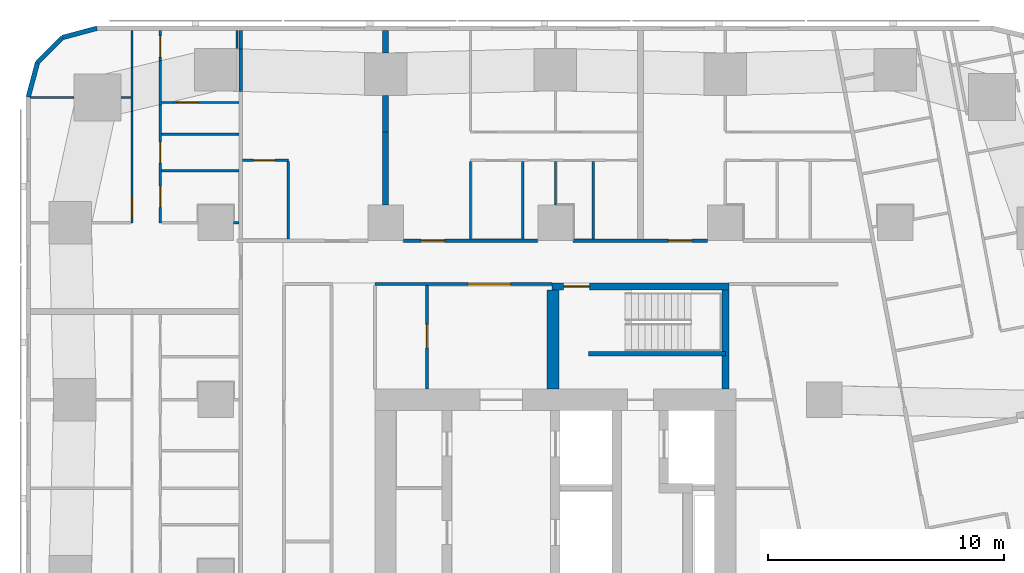
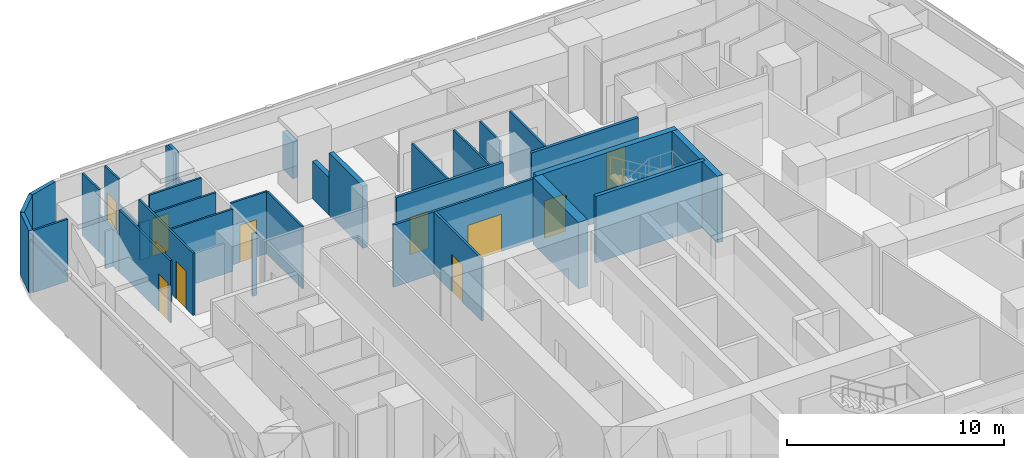
# One storey, part 9 of 15: 36 walls, 11 doors, 11 openings.
"""IFC4 building model written with IfcOpenShell, lengths in metres."""

from ifc_helpers import new_model, si_unit, direction, frame, frame_2d, origin, place, context, subcontext, project, spatial, rectangle, extrude, material, layer, layer_set, type_object, element, fill, save


model = new_model("IFC4")

# Units and contexts
model_context = context("Model", 3, precision=1e-05, world=origin(), true_north=direction((0.0, 1.0)))
body_context = subcontext(model_context, "Body", "Model", "MODEL_VIEW")
ifc_project = project(units=[si_unit("LENGTHUNIT", "METRE"), si_unit("AREAUNIT", "SQUARE_METRE"), si_unit("VOLUMEUNIT", "CUBIC_METRE"), si_unit("PLANEANGLEUNIT", "RADIAN"), si_unit("MASSUNIT", "GRAM", prefix="KILO")], contexts=[model_context])

# Site, building, storey
site_placement = place(None, origin())
site = spatial("IfcSite", under=ifc_project, at=site_placement, CompositionType="ELEMENT")
building_placement = place(site_placement, origin())
building = spatial("IfcBuilding", under=site, at=building_placement, Name="Sheger Commons Tower", CompositionType="ELEMENT")
storey_placement = place(building_placement, frame((0.0, 0.0, 150.800048828125)))
storey = spatial("IfcBuildingStorey", under=building, at=storey_placement, Name="L38", CompositionType="ELEMENT", Elevation=150.800048828125)

# Walls
ifc_material_1 = material(Name="Hollow concrete block masonry, skimmed both sides", Category="masonry")
ifc_layer_1 = layer(ifc_material_1, 0.14990234375)
ifc_layer_set_1 = layer_set([ifc_layer_1], Name="CORRIDOR WALL 150")
wall_type_1 = type_object("IfcWallType", Name="CORRIDOR WALL 150", PredefinedType="SOLIDWALL", material=ifc_layer_set_1)
wall_1_placement = place(storey_placement, frame((8.25, 43.068115234375, 0.0), z_axis=(0.0, 0.0, 1.0), x_axis=(0.0, 1.0, 0.0)))
element("IfcWall", 1, at=wall_1_placement, inside=storey, type_object=wall_type_1, Name="Corridor wall L38", PredefinedType="SOLIDWALL", context=body_context, shape_type="SweptSolid", body=[
    extrude(rectangle(XDim=1.804931640625, YDim=0.14990234375, at=frame_2d((0.90234375, 0.0))), origin(), (0.0, 0.0, 1.0), 2.099853515625),
])
wall_2_placement = place(storey_placement, frame((8.25, 44.873046875, 0.0), z_axis=(0.0, 0.0, 1.0), x_axis=(0.0, 1.0, 0.0)))
element("IfcWall", 2, at=wall_2_placement, inside=storey, type_object=wall_type_1, Name="Corridor wall L38", PredefinedType="SOLIDWALL", context=body_context, shape_type="SweptSolid", body=[
    extrude(rectangle(XDim=0.77685546875, YDim=0.14990234375, at=frame_2d((0.388427734375, 0.0))), origin(), (0.0, 0.0, 1.0), 3.5),
])

# Wall, opening, door
wall_3_placement = place(storey_placement, frame((15.15087890625, 36.75, 0.0), z_axis=(0.0, 0.0, 1.0), x_axis=(1.0, 0.0, 0.0)))
wall_3 = element("IfcWall", 3, at=wall_3_placement, inside=storey, type_object=wall_type_1, Name="Corridor wall L38", PredefinedType="SOLIDWALL", context=body_context, shape_type="SweptSolid", body=[
    extrude(rectangle(XDim=5.6982421875, YDim=0.14990234375, at=frame_2d((2.84912109375, 0.0))), origin(), (0.0, 0.0, 1.0), 3.5),
])
opening_1_placement = place(wall_3_placement, frame((0.7490234375, 0.0, 0.0)))
opening_1 = element("IfcOpeningElement", 4, at=opening_1_placement, cuts=wall_3, Name="Opening D1", PredefinedType="OPENING", context=body_context, shape_type="SweptSolid", body=[
    extrude(rectangle(XDim=1.0, YDim=2.10009765625, at=frame_2d((0.5, 1.050048828125))), frame((0.0, 0.0849609375, 0.0), z_axis=(0.0, -1.0, 0.0), x_axis=(1.0, 0.0, 0.0)), (0.0, 0.0, 1.0), 0.169921875),
])
ifc_material_2 = material(Name="Steel door set, fire rated", Category="steel")
door_type_1 = type_object("IfcDoorType", Name="FLAT ENTRANCE DOOR 1000x2100", OperationType="NOTDEFINED", PredefinedType="DOOR", material=ifc_material_2)
door_1_placement = place(opening_1_placement, origin())
door_1 = element("IfcDoor", 5, at=door_1_placement, inside=storey, type_object=door_type_1, Name="Flat entrance door", OperationType="SINGLE_SWING_LEFT", OverallHeight=2.10009765625, OverallWidth=1.0, PredefinedType="DOOR", context=body_context, shape_type="SweptSolid", body=[
    extrude(rectangle(XDim=1.0, YDim=2.10009765625, at=frame_2d((0.5, 1.050048828125))), frame((0.0, 0.02490234375, 0.0), z_axis=(0.0, -1.0, 0.0), x_axis=(1.0, 0.0, 0.0)), (0.0, 0.0, 1.0), 0.050048828125),
])
fill(opening_1, door_1)

wall_4_placement = place(storey_placement, frame((22.35107421875, 36.75, 0.0), z_axis=(0.0, 0.0, 1.0), x_axis=(1.0, 0.0, 0.0)))
wall_4 = element("IfcWall", 6, at=wall_4_placement, inside=storey, type_object=wall_type_1, Name="Corridor wall L38", PredefinedType="SOLIDWALL", context=body_context, shape_type="SweptSolid", body=[
    extrude(rectangle(XDim=5.697998046875, YDim=0.14990234375, at=frame_2d((2.84912109375, 0.0))), origin(), (0.0, 0.0, 1.0), 3.5),
])
opening_2_placement = place(wall_4_placement, frame((4.031982421875, 0.0, 0.0)))
opening_2 = element("IfcOpeningElement", 7, at=opening_2_placement, cuts=wall_4, Name="Opening D1", PredefinedType="OPENING", context=body_context, shape_type="SweptSolid", body=[
    extrude(rectangle(XDim=1.0, YDim=2.10009765625, at=frame_2d((0.5, 1.050048828125))), frame((0.0, 0.0849609375, 0.0), z_axis=(0.0, -1.0, 0.0), x_axis=(1.0, 0.0, 0.0)), (0.0, 0.0, 1.0), 0.169921875),
])
door_2_placement = place(opening_2_placement, origin())
door_2 = element("IfcDoor", 8, at=door_2_placement, inside=storey, type_object=door_type_1, Name="Flat entrance door", OperationType="SINGLE_SWING_RIGHT", OverallHeight=2.10009765625, OverallWidth=1.0, PredefinedType="DOOR", context=body_context, shape_type="SweptSolid", body=[
    extrude(rectangle(XDim=1.0, YDim=2.10009765625, at=frame_2d((0.5, 1.050048828125))), frame((0.0, 0.02490234375, 0.0), z_axis=(0.0, -1.0, 0.0), x_axis=(1.0, 0.0, 0.0)), (0.0, 0.0, 1.0), 0.050048828125),
])
fill(opening_2, door_2)

# Walls
ifc_material_3 = material(Name="Dense concrete block masonry, plastered both sides (separating wall between flats)", Category="masonry")
ifc_layer_2 = layer(ifc_material_3, 0.25)
ifc_layer_set_2 = layer_set([ifc_layer_2], Name="DEMISING WALL 250")
wall_type_2 = type_object("IfcWallType", Name="DEMISING WALL 250", PredefinedType="SOLIDWALL", material=ifc_layer_set_2)
wall_5_placement = place(storey_placement, frame((14.39990234375, 41.35009765625, 0.0), z_axis=(0.0, 0.0, 1.0), x_axis=(0.0, 1.0, 0.0)))
element("IfcWall", 9, at=wall_5_placement, inside=storey, type_object=wall_type_2, Name="Demising wall L38", PredefinedType="SOLIDWALL", context=body_context, shape_type="SweptSolid", body=[
    extrude(rectangle(XDim=1.548828125, YDim=0.25, at=frame_2d((0.7744140625, 0.0))), origin(), (0.0, 0.0, 1.0), 2.099853515625),
])
wall_6_placement = place(storey_placement, frame((14.39990234375, 44.700927734375, 0.0), z_axis=(0.0, 0.0, 1.0), x_axis=(0.0, 1.0, 0.0)))
element("IfcWall", 10, at=wall_6_placement, inside=storey, type_object=wall_type_2, Name="Demising wall L38", PredefinedType="SOLIDWALL", context=body_context, shape_type="SweptSolid", body=[
    extrude(rectangle(XDim=0.948974609375, YDim=0.25, at=frame_2d((0.474609375, 0.0))), origin(), (0.0, 0.0, 1.0), 2.099853515625),
])
wall_7_placement = place(storey_placement, frame((14.39990234375, 38.2509765625, 0.0), z_axis=(0.0, 0.0, 1.0), x_axis=(0.0, 1.0, 0.0)))
element("IfcWall", 11, at=wall_7_placement, inside=storey, type_object=wall_type_2, Name="Demising wall L38", PredefinedType="SOLIDWALL", context=body_context, shape_type="SweptSolid", body=[
    extrude(rectangle(XDim=3.09912109375, YDim=0.25, at=frame_2d((1.549560546875, 0.0))), origin(), (0.0, 0.0, 1.0), 3.5),
])
ifc_material_4 = material(Name="Rendered concrete block masonry, dark grey", Category="masonry")
ifc_layer_3 = layer(ifc_material_4, 0.199951171875)
ifc_layer_set_3 = layer_set([ifc_layer_3], Name="FACADE WALL 200")
wall_type_3 = type_object("IfcWallType", Name="FACADE WALL 200", PredefinedType="SOLIDWALL", material=ifc_layer_set_3)
wall_8_placement = place(storey_placement, frame((2.1630859375, 45.75, 0.0), z_axis=(0.0, 0.0, 1.0), x_axis=(-0.965832000415, -0.259168954497, 0.0)))
element("IfcWall", 12, at=wall_8_placement, inside=storey, type_object=wall_type_3, Name="Facade wall L38", PredefinedType="SOLIDWALL", context=body_context, shape_type="SweptSolid", body=[
    extrude(rectangle(XDim=1.512939453125, YDim=0.199951171875, at=frame_2d((0.75634765625, 0.0))), origin(), (0.0, 0.0, 1.0), 3.5),
])
wall_9_placement = place(storey_placement, frame((0.701904296875, 45.35791015625, 0.0), z_axis=(0.0, 0.0, 1.0), x_axis=(-0.707106781187, -0.707106781187, 0.0)))
element("IfcWall", 13, at=wall_9_placement, inside=storey, type_object=wall_type_3, Name="Facade wall L38", PredefinedType="SOLIDWALL", context=body_context, shape_type="SweptSolid", body=[
    extrude(rectangle(XDim=1.498779296875, YDim=0.199951171875, at=frame_2d((0.74951171875, 0.0))), origin(), (0.0, 0.0, 1.0), 3.5),
])
wall_10_placement = place(storey_placement, frame((-0.35791015625, 44.298095703125, 0.0), z_axis=(0.0, 0.0, 1.0), x_axis=(-0.259168954497, -0.965832000415, 0.0)))
element("IfcWall", 14, at=wall_10_placement, inside=storey, type_object=wall_type_3, Name="Facade wall L38", PredefinedType="SOLIDWALL", context=body_context, shape_type="SweptSolid", body=[
    extrude(rectangle(XDim=1.512939453125, YDim=0.199951171875, at=frame_2d((0.75634765625, 0.0))), origin(), (0.0, 0.0, 1.0), 3.5),
])
ifc_material_5 = material(Name="Gypsum board on steel studs", Category="steel")
ifc_layer_4 = layer(ifc_material_5, 0.10009765625)
ifc_layer_set_4 = layer_set([ifc_layer_4], Name="PARTITION 100")
wall_type_4 = type_object("IfcWallType", Name="PARTITION 100", PredefinedType="PARTITIONING", material=ifc_layer_set_4)
wall_11_placement = place(storey_placement, frame((8.10009765625, 45.64990234375, 0.0), z_axis=(0.0, 0.0, 1.0), x_axis=(0.0, -1.0, 0.0)))
element("IfcWall", 15, at=wall_11_placement, inside=storey, type_object=wall_type_4, Name="Partition L38", PredefinedType="PARTITIONING", context=body_context, shape_type="SweptSolid", body=[
    extrude(rectangle(XDim=0.7490234375, YDim=0.10009765625, at=frame_2d((0.37451171875, 0.0))), origin(), (0.0, 0.0, 1.0), 3.5),
])

# Wall, opening, door
wall_12_placement = place(storey_placement, frame((3.64990234375, 37.5, 0.0), z_axis=(0.0, 0.0, 1.0), x_axis=(0.0, 1.0, 0.0)))
wall_12 = element("IfcWall", 16, at=wall_12_placement, inside=storey, type_object=wall_type_4, Name="Partition L38", PredefinedType="PARTITIONING", context=body_context, shape_type="SweptSolid", body=[
    extrude(rectangle(XDim=4.72412109375, YDim=0.10009765625, at=frame_2d((2.362060546875, 0.0))), origin(), (0.0, 0.0, 1.0), 3.5),
])
opening_3_placement = place(wall_12_placement, frame((0.199951171875, 0.0, 0.0)))
opening_3 = element("IfcOpeningElement", 17, at=opening_3_placement, cuts=wall_12, Name="Opening D2", PredefinedType="OPENING", context=body_context, shape_type="SweptSolid", body=[
    extrude(rectangle(XDim=0.89990234375, YDim=2.10009765625, at=frame_2d((0.449951171875, 1.050048828125))), frame((0.0, 0.06005859375, 0.0), z_axis=(0.0, -1.0, 0.0), x_axis=(1.0, 0.0, 0.0)), (0.0, 0.0, 1.0), 0.1201171875),
])
ifc_material_6 = material(Name="Timber door set", Category="wood")
door_type_2 = type_object("IfcDoorType", Name="INTERNAL DOOR 900x2100", OperationType="NOTDEFINED", PredefinedType="DOOR", material=ifc_material_6)
door_3_placement = place(opening_3_placement, origin())
door_3 = element("IfcDoor", 18, at=door_3_placement, inside=storey, type_object=door_type_2, Name="Main bedroom door", OperationType="SINGLE_SWING_LEFT", OverallHeight=2.10009765625, OverallWidth=0.89990234375, PredefinedType="DOOR", context=body_context, shape_type="SweptSolid", body=[
    extrude(rectangle(XDim=0.89990234375, YDim=2.10009765625, at=frame_2d((0.449951171875, 1.050048828125))), frame((0.0, 0.02490234375, 0.0), z_axis=(0.0, -1.0, 0.0), x_axis=(1.0, 0.0, 0.0)), (0.0, 0.0, 1.0), 0.050048828125),
])
fill(opening_3, door_3)

# Walls
wall_13_placement = place(storey_placement, frame((3.64990234375, 42.22412109375, 0.0), z_axis=(0.0, 0.0, 1.0), x_axis=(0.0, 1.0, 0.0)))
element("IfcWall", 19, at=wall_13_placement, inside=storey, type_object=wall_type_4, Name="Partition L38", PredefinedType="PARTITIONING", context=body_context, shape_type="SweptSolid", body=[
    extrude(rectangle(XDim=1.872802734375, YDim=0.10009765625, at=frame_2d((0.9365234375, 0.0))), origin(), (0.0, 0.0, 1.0), 2.099853515625),
])
wall_14_placement = place(storey_placement, frame((3.64990234375, 44.096923828125, 0.0), z_axis=(0.0, 0.0, 1.0), x_axis=(0.0, 1.0, 0.0)))
element("IfcWall", 20, at=wall_14_placement, inside=storey, type_object=wall_type_4, Name="Partition L38", PredefinedType="PARTITIONING", context=body_context, shape_type="SweptSolid", body=[
    extrude(rectangle(XDim=1.552978515625, YDim=0.10009765625, at=frame_2d((0.7763671875, 0.0))), origin(), (0.0, 0.0, 1.0), 3.5),
])

# Wall, openings, doors
wall_15_placement = place(storey_placement, frame((4.85009765625, 37.5, 0.0), z_axis=(0.0, 0.0, 1.0), x_axis=(0.0, 1.0, 0.0)))
wall_15 = element("IfcWall", 21, at=wall_15_placement, inside=storey, type_object=wall_type_4, Name="Partition L38", PredefinedType="PARTITIONING", context=body_context, shape_type="SweptSolid", body=[
    extrude(rectangle(XDim=5.007080078125, YDim=0.10009765625, at=frame_2d((2.50341796875, 0.0))), origin(), (0.0, 0.0, 1.0), 3.5),
])
opening_4_placement = place(wall_15_placement, frame((0.655029296875, 0.0, 0.0)))
opening_4 = element("IfcOpeningElement", 22, at=opening_4_placement, cuts=wall_15, Name="Opening D2", PredefinedType="OPENING", context=body_context, shape_type="SweptSolid", body=[
    extrude(rectangle(XDim=0.89990234375, YDim=2.10009765625, at=frame_2d((0.449951171875, 1.050048828125))), frame((0.0, 0.06005859375, 0.0), z_axis=(0.0, -1.0, 0.0), x_axis=(1.0, 0.0, 0.0)), (0.0, 0.0, 1.0), 0.1201171875),
])
opening_5_placement = place(wall_15_placement, frame((2.530029296875, 0.0, 0.0)))
opening_5 = element("IfcOpeningElement", 23, at=opening_5_placement, cuts=wall_15, Name="Opening D2", PredefinedType="OPENING", context=body_context, shape_type="SweptSolid", body=[
    extrude(rectangle(XDim=0.89990234375, YDim=2.10009765625, at=frame_2d((0.449951171875, 1.050048828125))), frame((0.0, 0.06005859375, 0.0), z_axis=(0.0, -1.0, 0.0), x_axis=(1.0, 0.0, 0.0)), (0.0, 0.0, 1.0), 0.1201171875),
])
door_4_placement = place(opening_4_placement, origin())
door_4 = element("IfcDoor", 24, at=door_4_placement, inside=storey, type_object=door_type_2, Name="Bathroom door", OperationType="SINGLE_SWING_RIGHT", OverallHeight=2.10009765625, OverallWidth=0.89990234375, PredefinedType="DOOR", context=body_context, shape_type="SweptSolid", body=[
    extrude(rectangle(XDim=0.89990234375, YDim=2.10009765625, at=frame_2d((0.449951171875, 1.050048828125))), frame((0.0, 0.02490234375, 0.0), z_axis=(0.0, -1.0, 0.0), x_axis=(1.0, 0.0, 0.0)), (0.0, 0.0, 1.0), 0.050048828125),
])
fill(opening_4, door_4)
door_5_placement = place(opening_5_placement, origin())
door_5 = element("IfcDoor", 25, at=door_5_placement, inside=storey, type_object=door_type_2, Name="Store door", OperationType="SINGLE_SWING_RIGHT", OverallHeight=2.10009765625, OverallWidth=0.89990234375, PredefinedType="DOOR", context=body_context, shape_type="SweptSolid", body=[
    extrude(rectangle(XDim=0.89990234375, YDim=2.10009765625, at=frame_2d((0.449951171875, 1.050048828125))), frame((0.0, 0.02490234375, 0.0), z_axis=(0.0, -1.0, 0.0), x_axis=(1.0, 0.0, 0.0)), (0.0, 0.0, 1.0), 0.050048828125),
])
fill(opening_5, door_5)

# Wall
wall_16_placement = place(storey_placement, frame((4.85009765625, 42.507080078125, 0.0), z_axis=(0.0, 0.0, 1.0), x_axis=(0.0, 1.0, 0.0)))
element("IfcWall", 26, at=wall_16_placement, inside=storey, type_object=wall_type_4, Name="Partition L38", PredefinedType="PARTITIONING", context=body_context, shape_type="SweptSolid", body=[
    extrude(rectangle(XDim=1.8740234375, YDim=0.10009765625, at=frame_2d((0.93701171875, 0.0))), origin(), (0.0, 0.0, 1.0), 2.099853515625),
])

# Wall, opening, door
wall_17_placement = place(storey_placement, frame((4.85009765625, 44.381103515625, 0.0), z_axis=(0.0, 0.0, 1.0), x_axis=(0.0, 1.0, 0.0)))
wall_17 = element("IfcWall", 27, at=wall_17_placement, inside=storey, type_object=wall_type_4, Name="Partition L38", PredefinedType="PARTITIONING", context=body_context, shape_type="SweptSolid", body=[
    extrude(rectangle(XDim=1.268798828125, YDim=0.10009765625, at=frame_2d((0.63427734375, 0.0))), origin(), (0.0, 0.0, 1.0), 3.5),
])
opening_6_placement = place(wall_17_placement, frame((0.14990234375, 0.0, 0.0)))
opening_6 = element("IfcOpeningElement", 28, at=opening_6_placement, cuts=wall_17, Name="Opening D2", PredefinedType="OPENING", context=body_context, shape_type="SweptSolid", body=[
    extrude(rectangle(XDim=0.89990234375, YDim=2.10009765625, at=frame_2d((0.449951171875, 1.050048828125))), frame((0.0, 0.06005859375, 0.0), z_axis=(0.0, -1.0, 0.0), x_axis=(1.0, 0.0, 0.0)), (0.0, 0.0, 1.0), 0.1201171875),
])
door_6_placement = place(opening_6_placement, origin())
door_6 = element("IfcDoor", 29, at=door_6_placement, inside=storey, type_object=door_type_2, Name="Store and laundry door", OperationType="SINGLE_SWING_RIGHT", OverallHeight=2.10009765625, OverallWidth=0.89990234375, PredefinedType="DOOR", context=body_context, shape_type="SweptSolid", body=[
    extrude(rectangle(XDim=0.89990234375, YDim=2.10009765625, at=frame_2d((0.449951171875, 1.050048828125))), frame((0.0, 0.02490234375, 0.0), z_axis=(0.0, -1.0, 0.0), x_axis=(1.0, 0.0, 0.0)), (0.0, 0.0, 1.0), 0.050048828125),
])
fill(opening_6, door_6)

# Walls
wall_18_placement = place(storey_placement, frame((-0.64990234375, 42.81396484375, 0.0), z_axis=(0.0, 0.0, 1.0), x_axis=(1.0, 0.0, 0.0)))
element("IfcWall", 30, at=wall_18_placement, inside=storey, type_object=wall_type_4, Name="Partition L38", PredefinedType="PARTITIONING", context=body_context, shape_type="SweptSolid", body=[
    extrude(rectangle(XDim=1.8349609375, YDim=0.10009765625, at=frame_2d((0.91748046875, 0.0))), origin(), (0.0, 0.0, 1.0), 3.5),
])
wall_19_placement = place(storey_placement, frame((3.18701171875, 42.81396484375, 0.0), z_axis=(0.0, 0.0, 1.0), x_axis=(1.0, 0.0, 0.0)))
element("IfcWall", 31, at=wall_19_placement, inside=storey, type_object=wall_type_4, Name="Partition L38", PredefinedType="PARTITIONING", context=body_context, shape_type="SweptSolid", body=[
    extrude(rectangle(XDim=0.4130859375, YDim=0.10009765625, at=frame_2d((0.20654296875, 0.0))), origin(), (0.0, 0.0, 1.0), 2.099853515625),
])
wall_20_placement = place(storey_placement, frame((7.950927734375, 37.5, 0.0), z_axis=(0.0, 0.0, 1.0), x_axis=(1.0, 0.0, 0.0)))
element("IfcWall", 32, at=wall_20_placement, inside=storey, type_object=wall_type_4, Name="Partition L38", PredefinedType="PARTITIONING", context=body_context, shape_type="SweptSolid", body=[
    extrude(rectangle(XDim=0.22412109375, YDim=0.10009765625, at=frame_2d((0.112060546875, 0.0))), origin(), (0.0, 0.0, 1.0), 3.5),
])
for number, where, z_axis, x_axis, name in (
    (33, (4.89990234375, 41.25, 0.0), (0.0, 0.0, 1.0), (1.0, 0.0, 0.0), "Partition L38"),
    (34, (4.89990234375, 39.7099609375, 0.0), (0.0, 0.0, 1.0), (1.0, 0.0, 0.0), "Partition L38"),
):
    element("IfcWall", number, at=place(storey_placement, frame(where, z_axis=z_axis, x_axis=x_axis)), inside=storey, type_object=wall_type_4, Name=name, PredefinedType="PARTITIONING", context=body_context, shape_type="SweptSolid", body=[
        extrude(rectangle(XDim=3.275146484375, YDim=0.10009765625, at=frame_2d((1.6376953125, 0.0))), origin(), (0.0, 0.0, 1.0), 3.5),
    ])

# Wall, opening, door
wall_21_placement = place(storey_placement, frame((8.324951171875, 40.14990234375, 0.0), z_axis=(0.0, 0.0, 1.0), x_axis=(1.0, 0.0, 0.0)))
wall_21 = element("IfcWall", 35, at=wall_21_placement, inside=storey, type_object=wall_type_4, Name="Partition L38", PredefinedType="PARTITIONING", context=body_context, shape_type="SweptSolid", body=[
    extrude(rectangle(XDim=1.9541015625, YDim=0.10009765625, at=frame_2d((0.97705078125, 0.0))), origin(), (0.0, 0.0, 1.0), 3.5),
])
opening_7_placement = place(wall_21_placement, frame((0.47509765625, 0.0, 0.0)))
opening_7 = element("IfcOpeningElement", 36, at=opening_7_placement, cuts=wall_21, Name="Opening D2", PredefinedType="OPENING", context=body_context, shape_type="SweptSolid", body=[
    extrude(rectangle(XDim=0.89990234375, YDim=2.10009765625, at=frame_2d((0.449951171875, 1.050048828125))), frame((0.0, 0.06005859375, 0.0), z_axis=(0.0, -1.0, 0.0), x_axis=(1.0, 0.0, 0.0)), (0.0, 0.0, 1.0), 0.1201171875),
])
door_7_placement = place(opening_7_placement, origin())
door_7 = element("IfcDoor", 37, at=door_7_placement, inside=storey, type_object=door_type_2, Name="Shower room door", OperationType="SINGLE_SWING_RIGHT", OverallHeight=2.10009765625, OverallWidth=0.89990234375, PredefinedType="DOOR", context=body_context, shape_type="SweptSolid", body=[
    extrude(rectangle(XDim=0.89990234375, YDim=2.10009765625, at=frame_2d((0.449951171875, 1.050048828125))), frame((0.0, 0.02490234375, 0.0), z_axis=(0.0, -1.0, 0.0), x_axis=(1.0, 0.0, 0.0)), (0.0, 0.0, 1.0), 0.050048828125),
])
fill(opening_7, door_7)

# Walls
for number, where, z_axis, x_axis, name in (
    (38, (10.279052734375, 36.824951171875, 0.0), (0.0, 0.0, 1.0), (0.0, 1.0, 0.0), "Partition L38"),
    (39, (18.0, 36.824951171875, 0.0), (0.0, 0.0, 1.0), (0.0, 1.0, 0.0), "Partition L38"),
):
    element("IfcWall", number, at=place(storey_placement, frame(where, z_axis=z_axis, x_axis=x_axis)), inside=storey, type_object=wall_type_4, Name=name, PredefinedType="PARTITIONING", context=body_context, shape_type="SweptSolid", body=[
        extrude(rectangle(XDim=3.275146484375, YDim=0.10009765625, at=frame_2d((1.6376953125, 0.0))), origin(), (0.0, 0.0, 1.0), 3.5),
    ])
wall_22_placement = place(storey_placement, frame((21.60009765625, 38.2509765625, 0.0), z_axis=(0.0, 0.0, 1.0), x_axis=(0.0, 1.0, 0.0)))
element("IfcWall", 40, at=wall_22_placement, inside=storey, type_object=wall_type_4, Name="Partition L38", PredefinedType="PARTITIONING", context=body_context, shape_type="SweptSolid", body=[
    extrude(rectangle(XDim=1.84912109375, YDim=0.10009765625, at=frame_2d((0.924560546875, 0.0))), origin(), (0.0, 0.0, 1.0), 3.5),
])
for number, where, z_axis, x_axis, name in (
    (41, (20.2099609375, 36.824951171875, 0.0), (0.0, 0.0, 1.0), (0.0, 1.0, 0.0), "Partition L38"),
    (42, (23.199951171875, 36.824951171875, 0.0), (0.0, 0.0, 1.0), (0.0, 1.0, 0.0), "Partition L38"),
):
    element("IfcWall", number, at=place(storey_placement, frame(where, z_axis=z_axis, x_axis=x_axis)), inside=storey, type_object=wall_type_4, Name=name, PredefinedType="PARTITIONING", context=body_context, shape_type="SweptSolid", body=[
        extrude(rectangle(XDim=3.275146484375, YDim=0.10009765625, at=frame_2d((1.6376953125, 0.0))), origin(), (0.0, 0.0, 1.0), 3.5),
    ])
wall_23_placement = place(storey_placement, frame((4.89990234375, 42.60009765625, 0.0), z_axis=(0.0, 0.0, 1.0), x_axis=(1.0, 0.0, 0.0)))
element("IfcWall", 43, at=wall_23_placement, inside=storey, type_object=wall_type_4, Name="Partition L38", PredefinedType="PARTITIONING", context=body_context, shape_type="SweptSolid", body=[
    extrude(rectangle(XDim=0.503173828125, YDim=0.10009765625, at=frame_2d((0.25146484375, 0.0))), origin(), (0.0, 0.0, 1.0), 2.099853515625),
])

# Wall, opening, door
wall_24_placement = place(storey_placement, frame((5.403076171875, 42.60009765625, 0.0), z_axis=(0.0, 0.0, 1.0), x_axis=(1.0, 0.0, 0.0)))
wall_24 = element("IfcWall", 44, at=wall_24_placement, inside=storey, type_object=wall_type_4, Name="Partition L38", PredefinedType="PARTITIONING", context=body_context, shape_type="SweptSolid", body=[
    extrude(rectangle(XDim=2.77197265625, YDim=0.10009765625, at=frame_2d((1.385986328125, 0.0))), origin(), (0.0, 0.0, 1.0), 3.5),
])
opening_8_placement = place(wall_24_placement, frame((0.14990234375, 0.0, 0.0)))
opening_8 = element("IfcOpeningElement", 45, at=opening_8_placement, cuts=wall_24, Name="Opening D2", PredefinedType="OPENING", context=body_context, shape_type="SweptSolid", body=[
    extrude(rectangle(XDim=0.89990234375, YDim=2.10009765625, at=frame_2d((0.449951171875, 1.050048828125))), frame((0.0, 0.06005859375, 0.0), z_axis=(0.0, -1.0, 0.0), x_axis=(1.0, 0.0, 0.0)), (0.0, 0.0, 1.0), 0.1201171875),
])
door_8_placement = place(opening_8_placement, origin())
door_8 = element("IfcDoor", 46, at=door_8_placement, inside=storey, type_object=door_type_2, Name="Store door", OperationType="SINGLE_SWING_LEFT", OverallHeight=2.10009765625, OverallWidth=0.89990234375, PredefinedType="DOOR", context=body_context, shape_type="SweptSolid", body=[
    extrude(rectangle(XDim=0.89990234375, YDim=2.10009765625, at=frame_2d((0.449951171875, 1.050048828125))), frame((0.0, 0.02490234375, 0.0), z_axis=(0.0, -1.0, 0.0), x_axis=(1.0, 0.0, 0.0)), (0.0, 0.0, 1.0), 0.050048828125),
])
fill(opening_8, door_8)

ifc_material_7 = material(Name="Gypsum board on steel studs, two layers each side, fire rated", Category="steel")
ifc_layer_5 = layer(ifc_material_7, 0.125)
ifc_layer_set_5 = layer_set([ifc_layer_5], Name="SERVICE WALL 125")
wall_type_5 = type_object("IfcWallType", Name="SERVICE WALL 125", PredefinedType="PARTITIONING", material=ifc_layer_set_5)
wall_25_placement = place(storey_placement, frame((13.949951171875, 34.89990234375, 0.0), z_axis=(0.0, 0.0, 1.0), x_axis=(1.0, 0.0, 0.0)))
wall_25 = element("IfcWall", 47, at=wall_25_placement, inside=storey, type_object=wall_type_5, Name="Service room wall L38", PredefinedType="PARTITIONING", context=body_context, shape_type="SweptSolid", body=[
    extrude(rectangle(XDim=7.5, YDim=0.125, at=frame_2d((3.75, 0.0))), origin(), (0.0, 0.0, 1.0), 3.5),
])
opening_9_placement = place(wall_25_placement, frame((3.949951171875, 0.0, 0.0)))
opening_9 = element("IfcOpeningElement", 48, at=opening_9_placement, cuts=wall_25, Name="Opening D6", PredefinedType="OPENING", context=body_context, shape_type="SweptSolid", body=[
    extrude(rectangle(XDim=1.800048828125, YDim=2.10009765625, at=frame_2d((0.89990234375, 1.050048828125))), frame((0.0, 0.072509765625, 0.0), z_axis=(0.0, -1.0, 0.0), x_axis=(1.0, 0.0, 0.0)), (0.0, 0.0, 1.0), 0.14501953125),
])
ifc_material_8 = material(Name="Steel door set, fire rated", Category="steel")
door_type_3 = type_object("IfcDoorType", Name="LOBBY DOUBLE DOOR 1800x2100", OperationType="DOUBLE_DOOR_SINGLE_SWING", PredefinedType="DOOR", material=ifc_material_8)
door_9_placement = place(opening_9_placement, origin())
door_9 = element("IfcDoor", 49, at=door_9_placement, inside=storey, type_object=door_type_3, Name="Lift lobby north door", OperationType="DOUBLE_DOOR_SINGLE_SWING", OverallHeight=2.10009765625, OverallWidth=1.800048828125, PredefinedType="DOOR", context=body_context, shape_type="SweptSolid", body=[
    extrude(rectangle(XDim=1.800048828125, YDim=2.10009765625, at=frame_2d((0.89990234375, 1.050048828125))), frame((0.0, 0.02490234375, 0.0), z_axis=(0.0, -1.0, 0.0), x_axis=(1.0, 0.0, 0.0)), (0.0, 0.0, 1.0), 0.050048828125),
])
fill(opening_9, door_9)

wall_26_placement = place(storey_placement, frame((16.14990234375, 30.449951171875, 0.0), z_axis=(0.0, 0.0, 1.0), x_axis=(0.0, 1.0, 0.0)))
wall_26 = element("IfcWall", 50, at=wall_26_placement, inside=storey, type_object=wall_type_5, Name="Service room wall L38", PredefinedType="PARTITIONING", context=body_context, shape_type="SweptSolid", body=[
    extrude(rectangle(XDim=4.386962890625, YDim=0.125, at=frame_2d((2.193359375, 0.0))), origin(), (0.0, 0.0, 1.0), 3.5),
])
opening_10_placement = place(wall_26_placement, frame((1.75, 0.0, 0.0)))
opening_10 = element("IfcOpeningElement", 51, at=opening_10_placement, cuts=wall_26, Name="Opening D4", PredefinedType="OPENING", context=body_context, shape_type="SweptSolid", body=[
    extrude(rectangle(XDim=1.0, YDim=2.10009765625, at=frame_2d((0.5, 1.050048828125))), frame((0.0, 0.072509765625, 0.0), z_axis=(0.0, -1.0, 0.0), x_axis=(1.0, 0.0, 0.0)), (0.0, 0.0, 1.0), 0.14501953125),
])
ifc_material_9 = material(Name="Steel door set, fire rated", Category="steel")
door_type_4 = type_object("IfcDoorType", Name="SERVICE DOOR 1000x2100", OperationType="NOTDEFINED", PredefinedType="DOOR", material=ifc_material_9)
door_10_placement = place(opening_10_placement, origin())
door_10 = element("IfcDoor", 52, at=door_10_placement, inside=storey, type_object=door_type_4, Name="Telecom room door", OperationType="SINGLE_SWING_RIGHT", OverallHeight=2.10009765625, OverallWidth=1.0, PredefinedType="DOOR", context=body_context, shape_type="SweptSolid", body=[
    extrude(rectangle(XDim=1.0, YDim=2.10009765625, at=frame_2d((0.5, 1.050048828125))), frame((0.0, 0.02490234375, 0.0), z_axis=(0.0, -1.0, 0.0), x_axis=(1.0, 0.0, 0.0)), (0.0, 0.0, 1.0), 0.050048828125),
])
fill(opening_10, door_10)

ifc_material_10 = material(Name="Concrete C50/60", Category="concrete")
ifc_layer_6 = layer(ifc_material_10, 0.300048828125)
ifc_layer_set_6 = layer_set([ifc_layer_6], Name="STAIR CORE WALL 300")
wall_type_6 = type_object("IfcWallType", Name="STAIR CORE WALL 300", PredefinedType="SHEAR", material=ifc_layer_set_6)
wall_27_placement = place(storey_placement, frame((21.449951171875, 34.800048828125, 0.0), z_axis=(0.0, 0.0, 1.0), x_axis=(1.0, 0.0, 0.0)))
wall_27 = element("IfcWall", 53, at=wall_27_placement, inside=storey, type_object=wall_type_6, Name="STW-L38-S2N", PredefinedType="SHEAR", context=body_context, shape_type="SweptSolid", body=[
    extrude(rectangle(XDim=7.5, YDim=0.300048828125, at=frame_2d((3.75, 0.0))), origin(), (0.0, 0.0, 1.0), 3.75),
])
opening_11_placement = place(wall_27_placement, frame((0.5, 0.0, 0.0)))
opening_11 = element("IfcOpeningElement", 54, at=opening_11_placement, cuts=wall_27, Name="Opening D5", PredefinedType="OPENING", context=body_context, shape_type="SweptSolid", body=[
    extrude(rectangle(XDim=1.10009765625, YDim=2.10009765625, at=frame_2d((0.550048828125, 1.050048828125))), frame((0.0, 0.159912109375, 0.0), z_axis=(0.0, -1.0, 0.0), x_axis=(1.0, 0.0, 0.0)), (0.0, 0.0, 1.0), 0.320068359375),
])
ifc_material_11 = material(Name="Steel door set, fire rated", Category="steel")
door_type_5 = type_object("IfcDoorType", Name="STAIR DOOR 1100x2100", OperationType="NOTDEFINED", PredefinedType="DOOR", material=ifc_material_11)
door_11_placement = place(opening_11_placement, origin())
door_11 = element("IfcDoor", 55, at=door_11_placement, inside=storey, type_object=door_type_5, Name="Stair S2 door", OperationType="SINGLE_SWING_RIGHT", OverallHeight=2.10009765625, OverallWidth=1.10009765625, PredefinedType="DOOR", context=body_context, shape_type="SweptSolid", body=[
    extrude(rectangle(XDim=1.10009765625, YDim=2.10009765625, at=frame_2d((0.550048828125, 1.050048828125))), frame((0.0, 0.02490234375, 0.0), z_axis=(0.0, -1.0, 0.0), x_axis=(1.0, 0.0, 0.0)), (0.0, 0.0, 1.0), 0.050048828125),
])
fill(opening_11, door_11)

# Walls
wall_28_placement = place(storey_placement, frame((28.800048828125, 30.449951171875, 0.0), z_axis=(0.0, 0.0, 1.0), x_axis=(0.0, 1.0, 0.0)))
element("IfcWall", 56, at=wall_28_placement, inside=storey, type_object=wall_type_6, Name="STW-L38-S2E", PredefinedType="SHEAR", context=body_context, shape_type="SweptSolid", body=[
    extrude(rectangle(XDim=4.199951171875, YDim=0.300048828125, at=frame_2d((2.10009765625, 0.0))), origin(), (0.0, 0.0, 1.0), 3.75),
])
ifc_material_12 = material(Name="Concrete C50/60", Category="concrete")
ifc_layer_7 = layer(ifc_material_12, 0.5)
ifc_layer_set_7 = layer_set([ifc_layer_7], Name="STAIR CORE WALL 500")
wall_type_7 = type_object("IfcWallType", Name="STAIR CORE WALL 500", PredefinedType="SHEAR", material=ifc_layer_set_7)
wall_29_placement = place(storey_placement, frame((21.5, 30.449951171875, 0.0), z_axis=(0.0, 0.0, 1.0), x_axis=(0.0, 1.0, 0.0)))
element("IfcWall", 57, at=wall_29_placement, inside=storey, type_object=wall_type_7, Name="STW-L38-S2W", PredefinedType="SHEAR", context=body_context, shape_type="SweptSolid", body=[
    extrude(rectangle(XDim=4.199951171875, YDim=0.5, at=frame_2d((2.10009765625, 0.0))), origin(), (0.0, 0.0, 1.0), 3.75),
])
ifc_material_13 = material(Name="Concrete C50/60", Category="concrete")
ifc_layer_8 = layer(ifc_material_13, 0.199951171875)
ifc_layer_set_8 = layer_set([ifc_layer_8], Name="STAIR SPINE WALL 200")
wall_type_8 = type_object("IfcWallType", Name="STAIR SPINE WALL 200", PredefinedType="SHEAR", material=ifc_layer_set_8)
wall_30_placement = place(storey_placement, frame((23.0, 31.949951171875, 0.0), z_axis=(0.0, 0.0, 1.0), x_axis=(1.0, 0.0, 0.0)))
element("IfcWall", 58, at=wall_30_placement, inside=storey, type_object=wall_type_8, Name="Stair spine wall L38", PredefinedType="SHEAR", context=body_context, shape_type="SweptSolid", body=[
    extrude(rectangle(XDim=5.800048828125, YDim=0.199951171875, at=frame_2d((2.89990234375, 0.0))), origin(), (0.0, 0.0, 1.0), 3.75),
])

save(model, "model.ifc")
